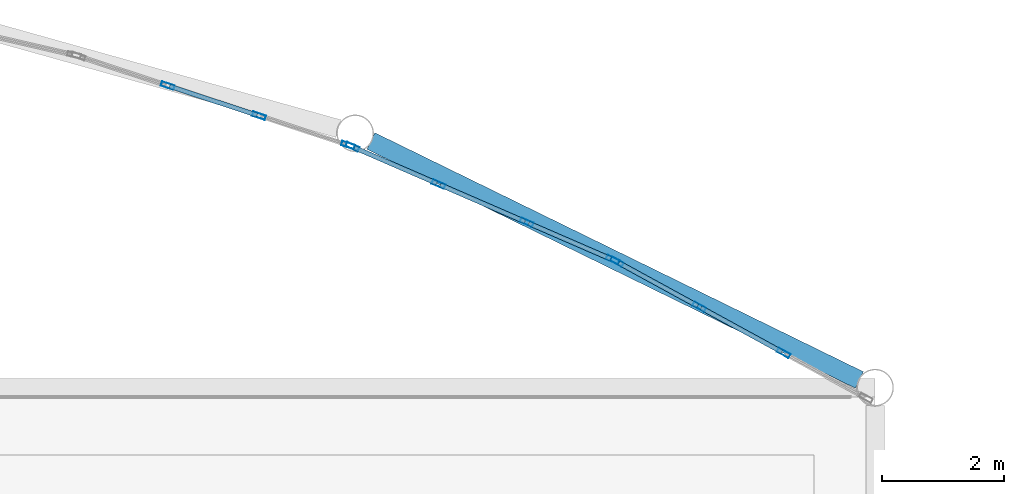
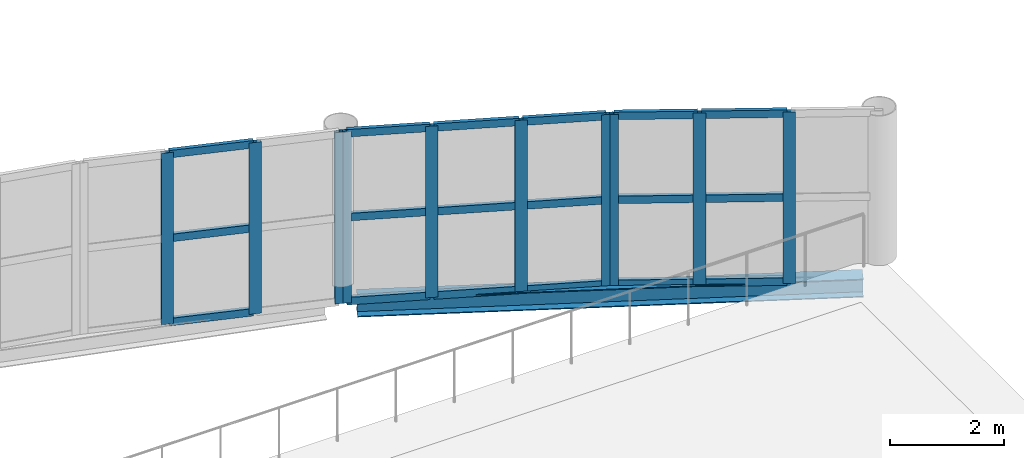
# One storey, part 76 of 134: 28 members, 1 beam, 3 elements without a shape of their own.
"""IFC4 building model written with IfcOpenShell, lengths in metres."""

from ifc_helpers import new_model, si_unit, direction, frame, origin, origin_2d, place, context, subcontext, project, spatial, hollow_rectangle, i_section, extrude, material, layer, layer_set, material_profile, profile_set, type_object, element, aggregate, save


model = new_model("IFC4")

# Units and contexts
model_context = context("Model", 3, precision=1e-05, world=origin(), true_north=direction((0.0, 1.0)))
body_context = subcontext(model_context, "Body", "Model", "MODEL_VIEW")
ifc_project = project(units=[si_unit("LENGTHUNIT", "METRE"), si_unit("AREAUNIT", "SQUARE_METRE"), si_unit("VOLUMEUNIT", "CUBIC_METRE"), si_unit("PLANEANGLEUNIT", "RADIAN"), si_unit("MASSUNIT", "GRAM", prefix="KILO")], contexts=[model_context])

# Site, building, storey
site_placement = place(None, origin())
site = spatial("IfcSite", under=ifc_project, at=site_placement, CompositionType="ELEMENT")
building_placement = place(site_placement, origin())
building = spatial("IfcBuilding", under=site, at=building_placement, Name="Tamarisk Ironworks Central Station", CompositionType="ELEMENT")
storey_placement = place(building_placement, frame((0.0, 0.0, 12.60009765625)))
storey = spatial("IfcBuildingStorey", under=building, at=storey_placement, Name="L02", CompositionType="ELEMENT", Elevation=12.60009765625)

# Beam
ifc_material_1 = material(Name="Structural steel S355J2", Category="steel")
ifc_material_profile_1 = material_profile(ifc_material_1, i_section(OverallWidth=0.300048828125, OverallDepth=0.389892578125, WebThickness=0.010986328125, FlangeThickness=0.01904296875, at=origin_2d()), Name="HEA 400")
ifc_profile_set_1 = profile_set([ifc_material_profile_1], Name="Structural steel S355J2")
beam_type = type_object("IfcBeamType", Name="BM-G07", PredefinedType="BEAM", material=ifc_profile_set_1)
beam_placement = place(storey_placement, frame((99.76708984375, 115.62744140625, -0.5751953125), z_axis=(0.898270064187, -0.439443843723, 0.0), x_axis=(0.439443843723, 0.898270064187, 0.0)))
element("IfcBeam", 1, at=beam_placement, inside=storey, type_object=beam_type, Name="NN rounded nose L02 chord girder 036", PredefinedType="BEAM", context=body_context, shape_type="SweptSolid", body=[
    extrude(i_section(OverallWidth=0.300048828125, OverallDepth=0.389892578125, WebThickness=0.010986328125, FlangeThickness=0.01904296875, at=origin_2d()), origin(), (0.0, 0.0, 1.0), 8.880126953125),
])

# Curtain wall, members
ifc_material_2 = material(Name="Anodized aluminium alloy 6063-T6", Category="aluminium")
ifc_layer = layer(ifc_material_2, 0.179931640625)
ifc_layer_set = layer_set([ifc_layer], Name="Anodized aluminium alloy 6063-T6")
curtain_wall_type = type_object("IfcCurtainWallType", Name="CW-03", PredefinedType="USERDEFINED", material=ifc_layer_set)
curtain_wall_1_placement = place(storey_placement, origin())
curtain_wall_1 = element("IfcCurtainWall", 2, at=curtain_wall_1_placement, inside=storey, type_object=curtain_wall_type, Name="NN rounded entrance hall L02 curtain wall bay 10", ObjectType="GLAZED CURTAIN WALL", PredefinedType="USERDEFINED")
ifc_material_profile_2 = material_profile(ifc_material_2, hollow_rectangle(XDim=0.074951171875, YDim=0.219970703125, WallThickness=0.00390625, at=origin_2d()), Name="ALUM 220x75")
ifc_profile_set_2 = profile_set([ifc_material_profile_2], Name="Anodized aluminium alloy 6063-T6")
member_type_1 = type_object("IfcMemberType", Name="CWM-01", PredefinedType="MULLION", material=ifc_profile_set_2)
member_1_placement = place(storey_placement, frame((96.449951171875, 116.530517578125, -0.385009765625), z_axis=(0.0, 0.0, 1.0), x_axis=(0.313098460171, 0.949720671692, 0.0)))
member_1 = element("IfcMember", 3, at=member_1_placement, type_object=member_type_1, Name="CW03 mullion 2", PredefinedType="MULLION", context=body_context, shape_type="SweptSolid", body=[
    extrude(hollow_rectangle(XDim=0.074951171875, YDim=0.219970703125, WallThickness=0.00390625, at=origin_2d()), origin(), (0.0, 0.0, 1.0), 3.664794921875),
])
member_2_placement = place(storey_placement, frame((97.94091796875, 116.038818359375, -0.385009765625), z_axis=(0.0, 0.0, 1.0), x_axis=(0.313098460171, 0.949720671692, 0.0)))
member_2 = element("IfcMember", 4, at=member_2_placement, type_object=member_type_1, Name="CW03 mullion 3", PredefinedType="MULLION", context=body_context, shape_type="SweptSolid", body=[
    extrude(hollow_rectangle(XDim=0.074951171875, YDim=0.219970703125, WallThickness=0.00390625, at=origin_2d()), origin(), (0.0, 0.0, 1.0), 3.664794921875),
])
member_3_placement = place(storey_placement, frame((99.396240234375, 115.55908203125, -0.385009765625), z_axis=(0.0, 0.0, 1.0), x_axis=(0.313098460171, 0.949720671692, 0.0)))
member_3 = element("IfcMember", 5, at=member_3_placement, type_object=member_type_1, Name="CW03 mullion 4", PredefinedType="MULLION", context=body_context, shape_type="SweptSolid", body=[
    extrude(hollow_rectangle(XDim=0.074951171875, YDim=0.219970703125, WallThickness=0.00390625, at=origin_2d()), origin(), (0.0, 0.0, 1.0), 3.664794921875),
])

curtain_wall_2_placement = place(storey_placement, origin())
curtain_wall_2 = element("IfcCurtainWall", 6, at=curtain_wall_2_placement, inside=storey, type_object=curtain_wall_type, Name="NN rounded entrance hall L02 curtain wall bay 11", ObjectType="GLAZED CURTAIN WALL", PredefinedType="USERDEFINED")
member_4_placement = place(storey_placement, frame((99.46630859375, 115.532470703125, -0.385009765625), z_axis=(0.0, 0.0, 1.0), x_axis=(0.398076935564, 0.917352033503, 0.0)))
member_4 = element("IfcMember", 7, at=member_4_placement, type_object=member_type_1, Name="CW03 mullion 1", PredefinedType="MULLION", context=body_context, shape_type="SweptSolid", body=[
    extrude(hollow_rectangle(XDim=0.074951171875, YDim=0.219970703125, WallThickness=0.00390625, at=origin_2d()), origin(), (0.0, 0.0, 1.0), 3.664794921875),
])
member_5_placement = place(storey_placement, frame((100.871826171875, 114.92236328125, -0.385009765625), z_axis=(0.0, 0.0, 1.0), x_axis=(0.398076935564, 0.917352033503, 0.0)))
member_5 = element("IfcMember", 8, at=member_5_placement, type_object=member_type_1, Name="CW03 mullion 2", PredefinedType="MULLION", context=body_context, shape_type="SweptSolid", body=[
    extrude(hollow_rectangle(XDim=0.074951171875, YDim=0.219970703125, WallThickness=0.00390625, at=origin_2d()), origin(), (0.0, 0.0, 1.0), 3.664794921875),
])
member_6_placement = place(storey_placement, frame((102.31201171875, 114.297607421875, -0.385009765625), z_axis=(0.0, 0.0, 1.0), x_axis=(0.398076935564, 0.917352033503, 0.0)))
member_6 = element("IfcMember", 9, at=member_6_placement, type_object=member_type_1, Name="CW03 mullion 3", PredefinedType="MULLION", context=body_context, shape_type="SweptSolid", body=[
    extrude(hollow_rectangle(XDim=0.074951171875, YDim=0.219970703125, WallThickness=0.00390625, at=origin_2d()), origin(), (0.0, 0.0, 1.0), 3.664794921875),
])
member_7_placement = place(storey_placement, frame((103.7177734375, 113.6875, -0.385009765625), z_axis=(0.0, 0.0, 1.0), x_axis=(0.398076935564, 0.917352033503, 0.0)))
member_7 = element("IfcMember", 10, at=member_7_placement, type_object=member_type_1, Name="CW03 mullion 4", PredefinedType="MULLION", context=body_context, shape_type="SweptSolid", body=[
    extrude(hollow_rectangle(XDim=0.074951171875, YDim=0.219970703125, WallThickness=0.00390625, at=origin_2d()), origin(), (0.0, 0.0, 1.0), 3.664794921875),
])

curtain_wall_3_placement = place(storey_placement, origin())
curtain_wall_3 = element("IfcCurtainWall", 11, at=curtain_wall_3_placement, inside=storey, type_object=curtain_wall_type, Name="NN rounded entrance hall L02 curtain wall bay 12", ObjectType="GLAZED CURTAIN WALL", PredefinedType="USERDEFINED")
member_8_placement = place(storey_placement, frame((103.78515625, 113.654541015625, -0.385009765625), z_axis=(0.0, 0.0, 1.0), x_axis=(0.47980544644, 0.877374910495, 0.0)))
member_8 = element("IfcMember", 12, at=member_8_placement, type_object=member_type_1, Name="CW03 mullion 1", PredefinedType="MULLION", context=body_context, shape_type="SweptSolid", body=[
    extrude(hollow_rectangle(XDim=0.074951171875, YDim=0.219970703125, WallThickness=0.00390625, at=origin_2d()), origin(), (0.0, 0.0, 1.0), 3.664794921875),
])
member_9_placement = place(storey_placement, frame((105.129638671875, 112.91943359375, -0.385009765625), z_axis=(0.0, 0.0, 1.0), x_axis=(0.47980544644, 0.877374910495, 0.0)))
member_9 = element("IfcMember", 13, at=member_9_placement, type_object=member_type_1, Name="CW03 mullion 2", PredefinedType="MULLION", context=body_context, shape_type="SweptSolid", body=[
    extrude(hollow_rectangle(XDim=0.074951171875, YDim=0.219970703125, WallThickness=0.00390625, at=origin_2d()), origin(), (0.0, 0.0, 1.0), 3.664794921875),
])
member_10_placement = place(storey_placement, frame((106.5068359375, 112.166015625, -0.385009765625), z_axis=(0.0, 0.0, 1.0), x_axis=(0.47980544644, 0.877374910495, 0.0)))
member_10 = element("IfcMember", 14, at=member_10_placement, type_object=member_type_1, Name="CW03 mullion 3", PredefinedType="MULLION", context=body_context, shape_type="SweptSolid", body=[
    extrude(hollow_rectangle(XDim=0.074951171875, YDim=0.219970703125, WallThickness=0.00390625, at=origin_2d()), origin(), (0.0, 0.0, 1.0), 3.664794921875),
])

# Member
ifc_material_profile_3 = material_profile(ifc_material_2, hollow_rectangle(XDim=0.074951171875, YDim=0.159912109375, WallThickness=0.00390625, at=origin_2d()), Name="ALUM 160x75")
ifc_profile_set_3 = profile_set([ifc_material_profile_3], Name="Anodized aluminium alloy 6063-T6")
member_type_2 = type_object("IfcMemberType", Name="CWT-01", PredefinedType="USERDEFINED", material=ifc_profile_set_3)
member_11_placement = place(storey_placement, frame((96.481689453125, 116.52001953125, -0.34765625), z_axis=(0.949685679296, -0.313204582566, 0.0), x_axis=(0.313204582566, 0.949685679296, 0.0)))
member_11 = element("IfcMember", 15, at=member_11_placement, type_object=member_type_2, Name="CW03 transom 2.1", ObjectType="TRANSOM", PredefinedType="USERDEFINED", context=body_context, shape_type="SweptSolid", body=[
    extrude(hollow_rectangle(XDim=0.074951171875, YDim=0.159912109375, WallThickness=0.00390625, at=origin_2d()), origin(), (0.0, 0.0, 1.0), 1.5029296875),
])

member_12_placement = place(storey_placement, frame((96.481689453125, 116.52001953125, 1.447509765625), z_axis=(0.949685679296, -0.313204582566, 0.0), x_axis=(0.313204582566, 0.949685679296, 0.0)))
member_12 = element("IfcMember", 16, at=member_12_placement, type_object=member_type_2, Name="CW03 transom 2.2", ObjectType="TRANSOM", PredefinedType="USERDEFINED", context=body_context, shape_type="SweptSolid", body=[
    extrude(hollow_rectangle(XDim=0.074951171875, YDim=0.159912109375, WallThickness=0.00390625, at=origin_2d()), origin(), (0.0, 0.0, 1.0), 1.5029296875),
])

member_13_placement = place(storey_placement, frame((96.481689453125, 116.52001953125, 3.242431640625), z_axis=(0.949685679296, -0.313204582566, 0.0), x_axis=(0.313204582566, 0.949685679296, 0.0)))
member_13 = element("IfcMember", 17, at=member_13_placement, type_object=member_type_2, Name="CW03 transom 2.3", ObjectType="TRANSOM", PredefinedType="USERDEFINED", context=body_context, shape_type="SweptSolid", body=[
    extrude(hollow_rectangle(XDim=0.074951171875, YDim=0.159912109375, WallThickness=0.00390625, at=origin_2d()), origin(), (0.0, 0.0, 1.0), 1.5029296875),
])

aggregate(curtain_wall_1, [member_1, member_2, member_3, member_11, member_12, member_13])

member_14_placement = place(storey_placement, frame((99.496826171875, 115.51904296875, -0.34765625), z_axis=(0.917395508869, -0.397976733374, 0.0), x_axis=(0.397976733374, 0.917395508869, 0.0)))
member_14 = element("IfcMember", 18, at=member_14_placement, type_object=member_type_2, Name="CW03 transom 1.1", ObjectType="TRANSOM", PredefinedType="USERDEFINED", context=body_context, shape_type="SweptSolid", body=[
    extrude(hollow_rectangle(XDim=0.074951171875, YDim=0.159912109375, WallThickness=0.00390625, at=origin_2d()), origin(), (0.0, 0.0, 1.0), 1.465576171875),
])

member_15_placement = place(storey_placement, frame((99.496826171875, 115.51904296875, 1.447509765625), z_axis=(0.917395508869, -0.397976733374, 0.0), x_axis=(0.397976733374, 0.917395508869, 0.0)))
member_15 = element("IfcMember", 19, at=member_15_placement, type_object=member_type_2, Name="CW03 transom 1.2", ObjectType="TRANSOM", PredefinedType="USERDEFINED", context=body_context, shape_type="SweptSolid", body=[
    extrude(hollow_rectangle(XDim=0.074951171875, YDim=0.159912109375, WallThickness=0.00390625, at=origin_2d()), origin(), (0.0, 0.0, 1.0), 1.465576171875),
])

member_16_placement = place(storey_placement, frame((99.496826171875, 115.51904296875, 3.242431640625), z_axis=(0.917395508869, -0.397976733374, 0.0), x_axis=(0.397976733374, 0.917395508869, 0.0)))
member_16 = element("IfcMember", 20, at=member_16_placement, type_object=member_type_2, Name="CW03 transom 1.3", ObjectType="TRANSOM", PredefinedType="USERDEFINED", context=body_context, shape_type="SweptSolid", body=[
    extrude(hollow_rectangle(XDim=0.074951171875, YDim=0.159912109375, WallThickness=0.00390625, at=origin_2d()), origin(), (0.0, 0.0, 1.0), 1.465576171875),
])

member_17_placement = place(storey_placement, frame((100.902587890625, 114.9091796875, -0.34765625), z_axis=(0.91732038484, -0.398149860677, 0.0), x_axis=(0.398149860677, 0.91732038484, 0.0)))
member_17 = element("IfcMember", 21, at=member_17_placement, type_object=member_type_2, Name="CW03 transom 2.1", ObjectType="TRANSOM", PredefinedType="USERDEFINED", context=body_context, shape_type="SweptSolid", body=[
    extrude(hollow_rectangle(XDim=0.074951171875, YDim=0.159912109375, WallThickness=0.00390625, at=origin_2d()), origin(), (0.0, 0.0, 1.0), 1.5029296875),
])

member_18_placement = place(storey_placement, frame((100.902587890625, 114.9091796875, 1.447509765625), z_axis=(0.91732038484, -0.398149860677, 0.0), x_axis=(0.398149860677, 0.91732038484, 0.0)))
member_18 = element("IfcMember", 22, at=member_18_placement, type_object=member_type_2, Name="CW03 transom 2.2", ObjectType="TRANSOM", PredefinedType="USERDEFINED", context=body_context, shape_type="SweptSolid", body=[
    extrude(hollow_rectangle(XDim=0.074951171875, YDim=0.159912109375, WallThickness=0.00390625, at=origin_2d()), origin(), (0.0, 0.0, 1.0), 1.5029296875),
])

member_19_placement = place(storey_placement, frame((100.902587890625, 114.9091796875, 3.242431640625), z_axis=(0.91732038484, -0.398149860677, 0.0), x_axis=(0.398149860677, 0.91732038484, 0.0)))
member_19 = element("IfcMember", 23, at=member_19_placement, type_object=member_type_2, Name="CW03 transom 2.3", ObjectType="TRANSOM", PredefinedType="USERDEFINED", context=body_context, shape_type="SweptSolid", body=[
    extrude(hollow_rectangle(XDim=0.074951171875, YDim=0.159912109375, WallThickness=0.00390625, at=origin_2d()), origin(), (0.0, 0.0, 1.0), 1.5029296875),
])

member_20_placement = place(storey_placement, frame((102.3427734375, 114.2841796875, -0.34765625), z_axis=(0.917369117832, -0.398037563113, 0.0), x_axis=(0.398037563113, 0.917369117832, 0.0)))
member_20 = element("IfcMember", 24, at=member_20_placement, type_object=member_type_2, Name="CW03 transom 3.1", ObjectType="TRANSOM", PredefinedType="USERDEFINED", context=body_context, shape_type="SweptSolid", body=[
    extrude(hollow_rectangle(XDim=0.074951171875, YDim=0.159912109375, WallThickness=0.00390625, at=origin_2d()), origin(), (0.0, 0.0, 1.0), 1.46533203125),
])

member_21_placement = place(storey_placement, frame((102.3427734375, 114.2841796875, 1.447509765625), z_axis=(0.917369117832, -0.398037563113, 0.0), x_axis=(0.398037563113, 0.917369117832, 0.0)))
member_21 = element("IfcMember", 25, at=member_21_placement, type_object=member_type_2, Name="CW03 transom 3.2", ObjectType="TRANSOM", PredefinedType="USERDEFINED", context=body_context, shape_type="SweptSolid", body=[
    extrude(hollow_rectangle(XDim=0.074951171875, YDim=0.159912109375, WallThickness=0.00390625, at=origin_2d()), origin(), (0.0, 0.0, 1.0), 1.46533203125),
])

member_22_placement = place(storey_placement, frame((102.3427734375, 114.2841796875, 3.242431640625), z_axis=(0.917369117832, -0.398037563113, 0.0), x_axis=(0.398037563113, 0.917369117832, 0.0)))
member_22 = element("IfcMember", 26, at=member_22_placement, type_object=member_type_2, Name="CW03 transom 3.3", ObjectType="TRANSOM", PredefinedType="USERDEFINED", context=body_context, shape_type="SweptSolid", body=[
    extrude(hollow_rectangle(XDim=0.074951171875, YDim=0.159912109375, WallThickness=0.00390625, at=origin_2d()), origin(), (0.0, 0.0, 1.0), 1.46533203125),
])

aggregate(curtain_wall_2, [member_4, member_5, member_6, member_7, member_14, member_15, member_16, member_17, member_18, member_19, member_20, member_21, member_22])

member_23_placement = place(storey_placement, frame((103.814453125, 113.638427734375, -0.34765625), z_axis=(0.877430316335, -0.479704117115, 0.0), x_axis=(0.479704117115, 0.877430316335, 0.0)))
member_23 = element("IfcMember", 27, at=member_23_placement, type_object=member_type_2, Name="CW03 transom 1.1", ObjectType="TRANSOM", PredefinedType="USERDEFINED", context=body_context, shape_type="SweptSolid", body=[
    extrude(hollow_rectangle(XDim=0.074951171875, YDim=0.159912109375, WallThickness=0.00390625, at=origin_2d()), origin(), (0.0, 0.0, 1.0), 1.46533203125),
])

member_24_placement = place(storey_placement, frame((103.814453125, 113.638427734375, 1.447509765625), z_axis=(0.877430316335, -0.479704117115, 0.0), x_axis=(0.479704117115, 0.877430316335, 0.0)))
member_24 = element("IfcMember", 28, at=member_24_placement, type_object=member_type_2, Name="CW03 transom 1.2", ObjectType="TRANSOM", PredefinedType="USERDEFINED", context=body_context, shape_type="SweptSolid", body=[
    extrude(hollow_rectangle(XDim=0.074951171875, YDim=0.159912109375, WallThickness=0.00390625, at=origin_2d()), origin(), (0.0, 0.0, 1.0), 1.46533203125),
])

member_25_placement = place(storey_placement, frame((103.814453125, 113.638427734375, 3.242431640625), z_axis=(0.877430316335, -0.479704117115, 0.0), x_axis=(0.479704117115, 0.877430316335, 0.0)))
member_25 = element("IfcMember", 29, at=member_25_placement, type_object=member_type_2, Name="CW03 transom 1.3", ObjectType="TRANSOM", PredefinedType="USERDEFINED", context=body_context, shape_type="SweptSolid", body=[
    extrude(hollow_rectangle(XDim=0.074951171875, YDim=0.159912109375, WallThickness=0.00390625, at=origin_2d()), origin(), (0.0, 0.0, 1.0), 1.46533203125),
])

member_26_placement = place(storey_placement, frame((105.158935546875, 112.9033203125, -0.34765625), z_axis=(0.87734870018, -0.479853371659, 0.0), x_axis=(0.479853371659, 0.87734870018, 0.0)))
member_26 = element("IfcMember", 30, at=member_26_placement, type_object=member_type_2, Name="CW03 transom 2.1", ObjectType="TRANSOM", PredefinedType="USERDEFINED", context=body_context, shape_type="SweptSolid", body=[
    extrude(hollow_rectangle(XDim=0.074951171875, YDim=0.159912109375, WallThickness=0.00390625, at=origin_2d()), origin(), (0.0, 0.0, 1.0), 1.5029296875),
])

member_27_placement = place(storey_placement, frame((105.158935546875, 112.9033203125, 1.447509765625), z_axis=(0.87734870018, -0.479853371659, 0.0), x_axis=(0.479853371659, 0.87734870018, 0.0)))
member_27 = element("IfcMember", 31, at=member_27_placement, type_object=member_type_2, Name="CW03 transom 2.2", ObjectType="TRANSOM", PredefinedType="USERDEFINED", context=body_context, shape_type="SweptSolid", body=[
    extrude(hollow_rectangle(XDim=0.074951171875, YDim=0.159912109375, WallThickness=0.00390625, at=origin_2d()), origin(), (0.0, 0.0, 1.0), 1.5029296875),
])

member_28_placement = place(storey_placement, frame((105.158935546875, 112.9033203125, 3.242431640625), z_axis=(0.87734870018, -0.479853371659, 0.0), x_axis=(0.479853371659, 0.87734870018, 0.0)))
member_28 = element("IfcMember", 32, at=member_28_placement, type_object=member_type_2, Name="CW03 transom 2.3", ObjectType="TRANSOM", PredefinedType="USERDEFINED", context=body_context, shape_type="SweptSolid", body=[
    extrude(hollow_rectangle(XDim=0.074951171875, YDim=0.159912109375, WallThickness=0.00390625, at=origin_2d()), origin(), (0.0, 0.0, 1.0), 1.5029296875),
])

aggregate(curtain_wall_3, [member_8, member_9, member_10, member_23, member_24, member_25, member_26, member_27, member_28])

save(model, "model.ifc")
